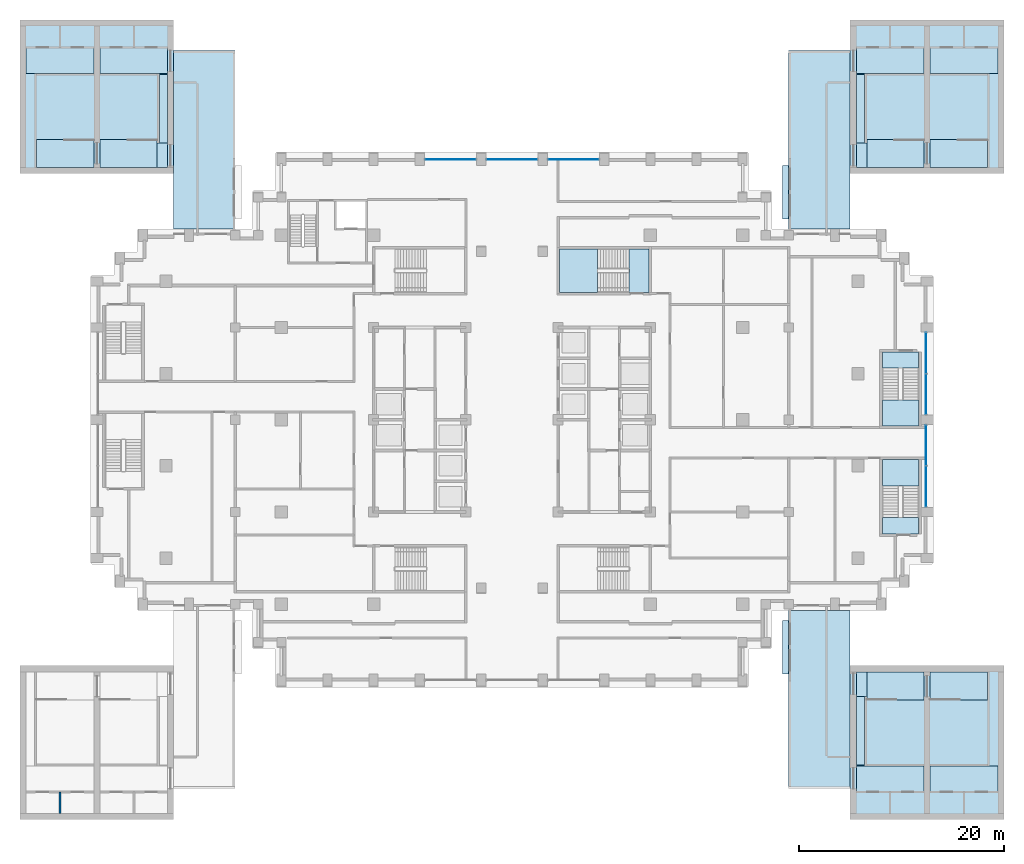
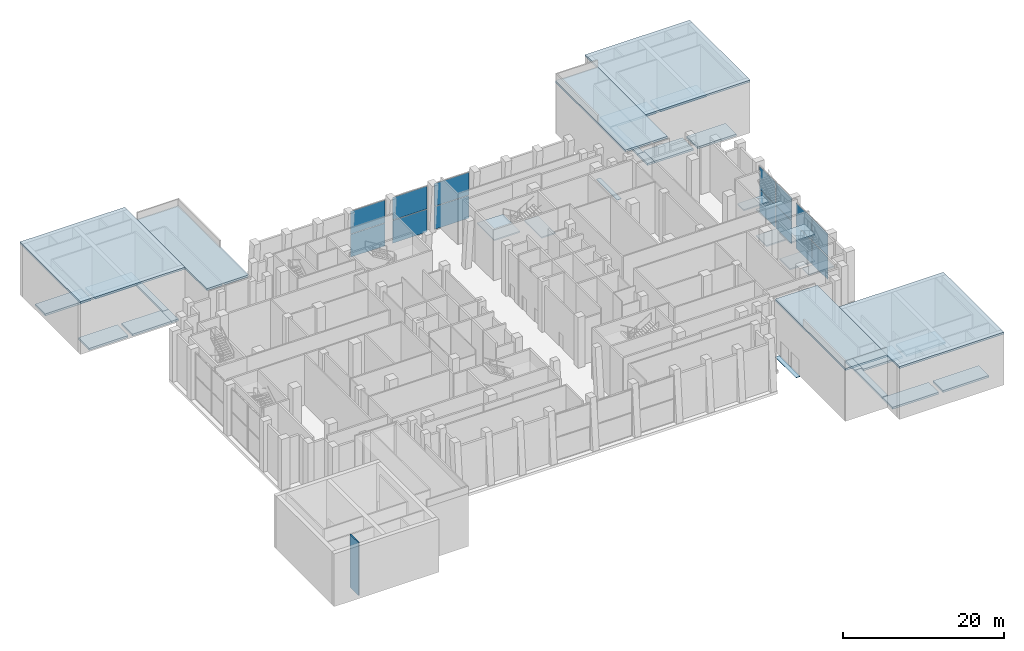
# One storey, part 9 of 24: 34 slabs, 14 plates, 1 wall, 8 elements without a shape of their own.
"""IFC4 building model written with IfcOpenShell, lengths in metres."""

from ifc_helpers import new_model, si_unit, direction, frame, frame_2d, origin, origin_2d, place, context, subcontext, project, spatial, polyline, rectangle, outline, extrude, material, layer, layer_set, type_object, element, aggregate, save


model = new_model("IFC4")

# Units and contexts
model_context = context("Model", 3, precision=1e-05, world=origin(), true_north=direction((0.0, 1.0)))
body_context = subcontext(model_context, "Body", "Model", "MODEL_VIEW")
ifc_project = project(units=[si_unit("LENGTHUNIT", "METRE"), si_unit("AREAUNIT", "SQUARE_METRE"), si_unit("VOLUMEUNIT", "CUBIC_METRE"), si_unit("PLANEANGLEUNIT", "RADIAN"), si_unit("MASSUNIT", "GRAM", prefix="KILO")], contexts=[model_context])

# Site, building, storey
site_placement = place(None, origin())
site = spatial("IfcSite", under=ifc_project, at=site_placement, CompositionType="ELEMENT")
building_placement = place(site_placement, origin())
building = spatial("IfcBuilding", under=site, at=building_placement, Name="Corbelhall Arena Tower", CompositionType="ELEMENT")
storey_placement = place(building_placement, frame((0.0, 0.0, 60.0)))
storey = spatial("IfcBuildingStorey", under=building, at=storey_placement, Name="L08", CompositionType="ELEMENT", Elevation=60.0)

# Slabs
ifc_material_1 = material(Name="Reinforced concrete C40/50", Category="concrete")
ifc_layer_1 = layer(ifc_material_1, 0.300048828125)
ifc_layer_set_1 = layer_set([ifc_layer_1], Name="AR-LINK-ROOF")
slab_type_1 = type_object("IfcSlabType", Name="AR-LINK-ROOF", PredefinedType="ROOF", material=ifc_layer_set_1)
slab_1_placement = place(storey_placement, frame((0.0, 0.0, 7.699951171875)))
element("IfcSlab", 1, at=slab_1_placement, inside=storey, type_object=slab_type_1, Name="Core NE roof", PredefinedType="ROOF", context=body_context, shape_type="SweptSolid", body=[
    extrude(outline(polyline([(33.0, 24.0), (48.0, 24.0), (48.0, 39.0), (33.0, 39.0), (33.0, 24.0)])), origin(), (0.0, 0.0, 1.0), 0.300048828125),
])
slab_2_placement = place(storey_placement, frame((0.0, 0.0, 7.699951171875)))
element("IfcSlab", 2, at=slab_2_placement, inside=storey, type_object=slab_type_1, Name="Core NW roof", PredefinedType="ROOF", context=body_context, shape_type="SweptSolid", body=[
    extrude(outline(polyline([(-48.0, 24.0), (-33.0, 24.0), (-33.0, 39.0), (-48.0, 39.0), (-48.0, 24.0)])), origin(), (0.0, 0.0, 1.0), 0.300048828125),
])
slab_3_placement = place(storey_placement, frame((0.0, 0.0, 7.699951171875)))
element("IfcSlab", 3, at=slab_3_placement, inside=storey, type_object=slab_type_1, Name="Core SE roof", PredefinedType="ROOF", context=body_context, shape_type="SweptSolid", body=[
    extrude(outline(polyline([(33.0, -39.0), (48.0, -39.0), (48.0, -24.0), (33.0, -24.0), (33.0, -39.0)])), origin(), (0.0, 0.0, 1.0), 0.300048828125),
])
slab_4_placement = place(storey_placement, frame((0.0, 0.0, 7.699951171875)))
element("IfcSlab", 4, at=slab_4_placement, inside=storey, type_object=slab_type_1, Name="Gallery LK1 roof", PredefinedType="ROOF", context=body_context, shape_type="SweptSolid", body=[
    extrude(outline(polyline([(27.0, 36.0), (33.0, 36.0), (33.0, 18.60009765625), (27.0, 18.60009765625), (27.0, 36.0)])), origin(), (0.0, 0.0, 1.0), 0.300048828125),
])
slab_5_placement = place(storey_placement, frame((0.0, 0.0, 7.699951171875)))
element("IfcSlab", 5, at=slab_5_placement, inside=storey, type_object=slab_type_1, Name="Gallery LK2 roof", PredefinedType="ROOF", context=body_context, shape_type="SweptSolid", body=[
    extrude(outline(polyline([(-33.0, 36.0), (-27.0, 36.0), (-27.0, 18.60009765625), (-33.0, 18.60009765625), (-33.0, 36.0)])), origin(), (0.0, 0.0, 1.0), 0.300048828125),
])
slab_6_placement = place(storey_placement, frame((0.0, 0.0, 7.699951171875)))
element("IfcSlab", 6, at=slab_6_placement, inside=storey, type_object=slab_type_1, Name="Gallery LK3 roof", PredefinedType="ROOF", context=body_context, shape_type="SweptSolid", body=[
    extrude(outline(polyline([(33.0, -36.0), (27.0, -36.0), (27.0, -18.60009765625), (33.0, -18.60009765625), (33.0, -36.0)])), origin(), (0.0, 0.0, 1.0), 0.300048828125),
])
ifc_layer_2 = layer(ifc_material_1, 0.300048828125)
ifc_layer_set_2 = layer_set([ifc_layer_2], Name="AR-STAIR-FLOOR")
slab_type_2 = type_object("IfcSlabType", Name="AR-STAIR-FLOOR", PredefinedType="FLOOR", material=ifc_layer_set_2)
slab_7_placement = place(storey_placement, frame((0.0, 0.0, -0.300048828125)))
element("IfcSlab", 7, at=slab_7_placement, inside=storey, type_object=slab_type_2, Name="Stair AS1 landing floor", PredefinedType="FLOOR", context=body_context, shape_type="SweptSolid", body=[
    extrude(outline(polyline([(34.610107421875, 24.60009765625), (34.610107421875, 27.0), (33.60009765625, 27.0), (33.60009765625, 24.60009765625), (34.610107421875, 24.60009765625)])), origin(), (0.0, 0.0, 1.0), 0.300048828125),
])
slab_8_placement = place(storey_placement, frame((0.0, 0.0, -0.300048828125)))
element("IfcSlab", 8, at=slab_8_placement, inside=storey, type_object=slab_type_2, Name="Stair AS1 floor", PredefinedType="FLOOR", context=body_context, shape_type="SweptSolid", body=[
    extrude(outline(polyline([(40.199951171875, 24.60009765625), (34.610107421875, 24.60009765625), (34.610107421875, 27.322998046875), (40.199951171875, 27.322998046875), (40.199951171875, 24.60009765625)])), origin(), (0.0, 0.0, 1.0), 0.300048828125),
])
slab_9_placement = place(storey_placement, frame((0.0, 0.0, -0.300048828125)))
element("IfcSlab", 9, at=slab_9_placement, inside=storey, type_object=slab_type_2, Name="Stair AS2 floor", PredefinedType="FLOOR", context=body_context, shape_type="SweptSolid", body=[
    extrude(outline(polyline([(46.389892578125, 24.60009765625), (40.800048828125, 24.60009765625), (40.800048828125, 27.322998046875), (46.389892578125, 27.322998046875), (46.389892578125, 24.60009765625)])), origin(), (0.0, 0.0, 1.0), 0.300048828125),
])
slab_10_placement = place(storey_placement, frame((0.0, 0.0, -0.300048828125)))
element("IfcSlab", 10, at=slab_10_placement, inside=storey, type_object=slab_type_2, Name="Stair AS3 landing floor", PredefinedType="FLOOR", context=body_context, shape_type="SweptSolid", body=[
    extrude(outline(polyline([(-33.60009765625, 24.60009765625), (-33.60009765625, 27.0), (-34.610107421875, 27.0), (-34.610107421875, 24.60009765625), (-33.60009765625, 24.60009765625)])), origin(), (0.0, 0.0, 1.0), 0.300048828125),
])
slab_11_placement = place(storey_placement, frame((0.0, 0.0, -0.300048828125)))
element("IfcSlab", 11, at=slab_11_placement, inside=storey, type_object=slab_type_2, Name="Stair AS3 floor", PredefinedType="FLOOR", context=body_context, shape_type="SweptSolid", body=[
    extrude(outline(polyline([(-34.610107421875, 24.60009765625), (-40.199951171875, 24.60009765625), (-40.199951171875, 27.322998046875), (-34.610107421875, 27.322998046875), (-34.610107421875, 24.60009765625)])), origin(), (0.0, 0.0, 1.0), 0.300048828125),
])
slab_12_placement = place(storey_placement, frame((0.0, 0.0, -0.300048828125)))
element("IfcSlab", 12, at=slab_12_placement, inside=storey, type_object=slab_type_2, Name="Stair AS4 floor", PredefinedType="FLOOR", context=body_context, shape_type="SweptSolid", body=[
    extrude(outline(polyline([(-40.800048828125, 24.60009765625), (-46.389892578125, 24.60009765625), (-46.389892578125, 27.322998046875), (-40.800048828125, 27.322998046875), (-40.800048828125, 24.60009765625)])), origin(), (0.0, 0.0, 1.0), 0.300048828125),
])
slab_13_placement = place(storey_placement, frame((0.0, 0.0, -0.300048828125)))
element("IfcSlab", 13, at=slab_13_placement, inside=storey, type_object=slab_type_2, Name="Stair AS5 landing floor", PredefinedType="FLOOR", context=body_context, shape_type="SweptSolid", body=[
    extrude(outline(polyline([(34.610107421875, -27.0), (34.610107421875, -24.60009765625), (33.60009765625, -24.60009765625), (33.60009765625, -27.0), (34.610107421875, -27.0)])), origin(), (0.0, 0.0, 1.0), 0.300048828125),
])
slab_14_placement = place(storey_placement, frame((0.0, 0.0, -0.300048828125)))
element("IfcSlab", 14, at=slab_14_placement, inside=storey, type_object=slab_type_2, Name="Stair AS5 floor", PredefinedType="FLOOR", context=body_context, shape_type="SweptSolid", body=[
    extrude(outline(polyline([(34.610107421875, -24.60009765625), (40.199951171875, -24.60009765625), (40.199951171875, -27.322998046875), (34.610107421875, -27.322998046875), (34.610107421875, -24.60009765625)])), origin(), (0.0, 0.0, 1.0), 0.300048828125),
])
slab_15_placement = place(storey_placement, frame((0.0, 0.0, -0.300048828125)))
element("IfcSlab", 15, at=slab_15_placement, inside=storey, type_object=slab_type_2, Name="Stair AS6 floor", PredefinedType="FLOOR", context=body_context, shape_type="SweptSolid", body=[
    extrude(outline(polyline([(40.800048828125, -24.60009765625), (46.389892578125, -24.60009765625), (46.389892578125, -27.322998046875), (40.800048828125, -27.322998046875), (40.800048828125, -24.60009765625)])), origin(), (0.0, 0.0, 1.0), 0.300048828125),
])
slab_16_placement = place(storey_placement, frame((0.0, 0.0, -0.300048828125)))
element("IfcSlab", 16, at=slab_16_placement, inside=storey, type_object=slab_type_2, Name="Lift lobby floor NE", PredefinedType="FLOOR", context=body_context, shape_type="SweptSolid", body=[
    extrude(outline(polyline([(40.199951171875, 33.800048828125), (40.199951171875, 36.300048828125), (33.60009765625, 36.300048828125), (33.60009765625, 33.800048828125), (40.199951171875, 33.800048828125)])), origin(), (0.0, 0.0, 1.0), 0.300048828125),
])
slab_17_placement = place(storey_placement, frame((0.0, 0.0, -0.300048828125)))
element("IfcSlab", 17, at=slab_17_placement, inside=storey, type_object=slab_type_2, Name="Lift lobby floor NE", PredefinedType="FLOOR", context=body_context, shape_type="SweptSolid", body=[
    extrude(outline(polyline([(47.39990234375, 33.800048828125), (47.39990234375, 36.300048828125), (40.800048828125, 36.300048828125), (40.800048828125, 33.800048828125), (47.39990234375, 33.800048828125)])), origin(), (0.0, 0.0, 1.0), 0.300048828125),
])
slab_18_placement = place(storey_placement, frame((0.0, 0.0, -0.300048828125)))
element("IfcSlab", 18, at=slab_18_placement, inside=storey, type_object=slab_type_2, Name="Lift lobby floor NW", PredefinedType="FLOOR", context=body_context, shape_type="SweptSolid", body=[
    extrude(outline(polyline([(-40.800048828125, 33.800048828125), (-40.800048828125, 36.300048828125), (-47.39990234375, 36.300048828125), (-47.39990234375, 33.800048828125), (-40.800048828125, 33.800048828125)])), origin(), (0.0, 0.0, 1.0), 0.300048828125),
])
slab_19_placement = place(storey_placement, frame((0.0, 0.0, -0.300048828125)))
element("IfcSlab", 19, at=slab_19_placement, inside=storey, type_object=slab_type_2, Name="Lift lobby floor NW", PredefinedType="FLOOR", context=body_context, shape_type="SweptSolid", body=[
    extrude(outline(polyline([(-33.60009765625, 33.800048828125), (-33.60009765625, 36.300048828125), (-40.199951171875, 36.300048828125), (-40.199951171875, 33.800048828125), (-33.60009765625, 33.800048828125)])), origin(), (0.0, 0.0, 1.0), 0.300048828125),
])
slab_20_placement = place(storey_placement, frame((0.0, 0.0, -0.300048828125)))
element("IfcSlab", 20, at=slab_20_placement, inside=storey, type_object=slab_type_2, Name="Lift lobby floor SE", PredefinedType="FLOOR", context=body_context, shape_type="SweptSolid", body=[
    extrude(outline(polyline([(40.199951171875, -36.300048828125), (40.199951171875, -33.800048828125), (33.60009765625, -33.800048828125), (33.60009765625, -36.300048828125), (40.199951171875, -36.300048828125)])), origin(), (0.0, 0.0, 1.0), 0.300048828125),
])
slab_21_placement = place(storey_placement, frame((0.0, 0.0, -0.300048828125)))
element("IfcSlab", 21, at=slab_21_placement, inside=storey, type_object=slab_type_2, Name="Lift lobby floor SE", PredefinedType="FLOOR", context=body_context, shape_type="SweptSolid", body=[
    extrude(outline(polyline([(47.39990234375, -36.300048828125), (47.39990234375, -33.800048828125), (40.800048828125, -33.800048828125), (40.800048828125, -36.300048828125), (47.39990234375, -36.300048828125)])), origin(), (0.0, 0.0, 1.0), 0.300048828125),
])
slab_22_placement = place(storey_placement, frame((0.0, 0.0, -0.300048828125)))
element("IfcSlab", 22, at=slab_22_placement, inside=storey, type_object=slab_type_2, Name="Strip floor NE", PredefinedType="FLOOR", context=body_context, shape_type="SweptSolid", body=[
    extrude(outline(polyline([(34.409912109375, 27.0), (34.409912109375, 33.699951171875), (33.60009765625, 33.699951171875), (33.60009765625, 27.0), (34.409912109375, 27.0)])), origin(), (0.0, 0.0, 1.0), 0.300048828125),
])
slab_23_placement = place(storey_placement, frame((0.0, 0.0, -0.300048828125)))
element("IfcSlab", 23, at=slab_23_placement, inside=storey, type_object=slab_type_2, Name="Strip floor NW", PredefinedType="FLOOR", context=body_context, shape_type="SweptSolid", body=[
    extrude(outline(polyline([(-33.60009765625, 27.0), (-33.60009765625, 33.699951171875), (-34.409912109375, 33.699951171875), (-34.409912109375, 27.0), (-33.60009765625, 27.0)])), origin(), (0.0, 0.0, 1.0), 0.300048828125),
])
slab_24_placement = place(storey_placement, frame((0.0, 0.0, -0.300048828125)))
element("IfcSlab", 24, at=slab_24_placement, inside=storey, type_object=slab_type_2, Name="Strip floor SE", PredefinedType="FLOOR", context=body_context, shape_type="SweptSolid", body=[
    extrude(outline(polyline([(34.409912109375, -33.699951171875), (34.409912109375, -27.0), (33.60009765625, -27.0), (33.60009765625, -33.699951171875), (34.409912109375, -33.699951171875)])), origin(), (0.0, 0.0, 1.0), 0.300048828125),
])

# Curtain wall, plates
ifc_material_2 = material(Name="Aluminium black anodised", Category="aluminium")
ifc_layer_3 = layer(ifc_material_2, 0.260009765625)
ifc_layer_set_3 = layer_set([ifc_layer_3], Name="EV-CW6 Ground lobby glazing")
curtain_wall_type = type_object("IfcCurtainWallType", Name="EV-CW6 Ground lobby glazing", PredefinedType="NOTDEFINED", material=ifc_layer_set_3)
curtain_wall_1_placement = place(storey_placement, origin())
curtain_wall_1 = element("IfcCurtainWall", 25, at=curtain_wall_1_placement, inside=storey, type_object=curtain_wall_type, Name="Curtain wall CW6A", PredefinedType="NOTDEFINED")
ifc_material_3 = material(Name="Glass dark tinted laminated", Category="glass")
ifc_layer_4 = layer(ifc_material_3, 0.028076171875)
ifc_layer_set_4 = layer_set([ifc_layer_4], Name="EV-CW6-PANEL")
plate_type = type_object("IfcPlateType", Name="EV-CW6-PANEL", PredefinedType="CURTAIN_PANEL", material=ifc_layer_set_4)
plate_1_placement = place(storey_placement, frame((40.39990234375, -6.50634765625, 0.074951171875), z_axis=(0.0, 0.0, 1.0), x_axis=(0.0, 1.0, 0.0)))
plate_1 = element("IfcPlate", 26, at=plate_1_placement, type_object=plate_type, Name="CW6A panel 1.1", PredefinedType="CURTAIN_PANEL", context=body_context, shape_type="SweptSolid", body=[
    extrude(rectangle(XDim=3.9375, YDim=0.028076171875, at=origin_2d()), origin(), (0.0, 0.0, 1.0), 3.4375),
])
plate_2_placement = place(storey_placement, frame((40.39990234375, -6.50634765625, 3.58740234375), z_axis=(0.0, 0.0, 1.0), x_axis=(0.0, 1.0, 0.0)))
plate_2 = element("IfcPlate", 27, at=plate_2_placement, type_object=plate_type, Name="CW6A panel 1.2", PredefinedType="CURTAIN_PANEL", context=body_context, shape_type="SweptSolid", body=[
    extrude(rectangle(XDim=3.9375, YDim=0.028076171875, at=origin_2d()), origin(), (0.0, 0.0, 1.0), 3.4375),
])
plate_3_placement = place(storey_placement, frame((40.39990234375, -2.49365234375, 0.074951171875), z_axis=(0.0, 0.0, 1.0), x_axis=(0.0, 1.0, 0.0)))
plate_3 = element("IfcPlate", 28, at=plate_3_placement, type_object=plate_type, Name="CW6A panel 2.1", PredefinedType="CURTAIN_PANEL", context=body_context, shape_type="SweptSolid", body=[
    extrude(rectangle(XDim=3.9375, YDim=0.028076171875, at=origin_2d()), origin(), (0.0, 0.0, 1.0), 3.4375),
])
plate_4_placement = place(storey_placement, frame((40.39990234375, -2.49365234375, 3.58740234375), z_axis=(0.0, 0.0, 1.0), x_axis=(0.0, 1.0, 0.0)))
plate_4 = element("IfcPlate", 29, at=plate_4_placement, type_object=plate_type, Name="CW6A panel 2.2", PredefinedType="CURTAIN_PANEL", context=body_context, shape_type="SweptSolid", body=[
    extrude(rectangle(XDim=3.9375, YDim=0.028076171875, at=origin_2d()), origin(), (0.0, 0.0, 1.0), 3.4375),
])
aggregate(curtain_wall_1, [plate_1, plate_2, plate_3, plate_4])

curtain_wall_2_placement = place(storey_placement, origin())
curtain_wall_2 = element("IfcCurtainWall", 30, at=curtain_wall_2_placement, inside=storey, type_object=curtain_wall_type, Name="Curtain wall CW6A", PredefinedType="NOTDEFINED")
plate_5_placement = place(storey_placement, frame((40.39990234375, 2.49365234375, 0.074951171875), z_axis=(0.0, 0.0, 1.0), x_axis=(0.0, 1.0, 0.0)))
plate_5 = element("IfcPlate", 31, at=plate_5_placement, type_object=plate_type, Name="CW6A panel 1.1", PredefinedType="CURTAIN_PANEL", context=body_context, shape_type="SweptSolid", body=[
    extrude(rectangle(XDim=3.9375, YDim=0.028076171875, at=origin_2d()), origin(), (0.0, 0.0, 1.0), 3.4375),
])
plate_6_placement = place(storey_placement, frame((40.39990234375, 2.49365234375, 3.58740234375), z_axis=(0.0, 0.0, 1.0), x_axis=(0.0, 1.0, 0.0)))
plate_6 = element("IfcPlate", 32, at=plate_6_placement, type_object=plate_type, Name="CW6A panel 1.2", PredefinedType="CURTAIN_PANEL", context=body_context, shape_type="SweptSolid", body=[
    extrude(rectangle(XDim=3.9375, YDim=0.028076171875, at=origin_2d()), origin(), (0.0, 0.0, 1.0), 3.4375),
])
plate_7_placement = place(storey_placement, frame((40.39990234375, 6.50634765625, 0.074951171875), z_axis=(0.0, 0.0, 1.0), x_axis=(0.0, 1.0, 0.0)))
plate_7 = element("IfcPlate", 33, at=plate_7_placement, type_object=plate_type, Name="CW6A panel 2.1", PredefinedType="CURTAIN_PANEL", context=body_context, shape_type="SweptSolid", body=[
    extrude(rectangle(XDim=3.9375, YDim=0.028076171875, at=origin_2d()), origin(), (0.0, 0.0, 1.0), 3.4375),
])
plate_8_placement = place(storey_placement, frame((40.39990234375, 6.50634765625, 3.58740234375), z_axis=(0.0, 0.0, 1.0), x_axis=(0.0, 1.0, 0.0)))
plate_8 = element("IfcPlate", 34, at=plate_8_placement, type_object=plate_type, Name="CW6A panel 2.2", PredefinedType="CURTAIN_PANEL", context=body_context, shape_type="SweptSolid", body=[
    extrude(rectangle(XDim=3.9375, YDim=0.028076171875, at=origin_2d()), origin(), (0.0, 0.0, 1.0), 3.4375),
])
aggregate(curtain_wall_2, [plate_5, plate_6, plate_7, plate_8])

curtain_wall_3_placement = place(storey_placement, origin())
curtain_wall_3 = element("IfcCurtainWall", 35, at=curtain_wall_3_placement, inside=storey, type_object=curtain_wall_type, Name="Curtain wall CW6", PredefinedType="NOTDEFINED")
plate_9_placement = place(storey_placement, frame((6.0, 25.39990234375, 0.074951171875), z_axis=(0.0, 0.0, 1.0), x_axis=(-1.0, 0.0, 0.0)))
plate_9 = element("IfcPlate", 36, at=plate_9_placement, type_object=plate_type, Name="CW6 panel 1.1", PredefinedType="CURTAIN_PANEL", context=body_context, shape_type="SweptSolid", body=[
    extrude(rectangle(XDim=4.949951171875, YDim=0.028076171875, at=origin_2d()), origin(), (0.0, 0.0, 1.0), 3.4375),
])
plate_10_placement = place(storey_placement, frame((6.0, 25.39990234375, 3.58740234375), z_axis=(0.0, 0.0, 1.0), x_axis=(-1.0, 0.0, 0.0)))
plate_10 = element("IfcPlate", 37, at=plate_10_placement, type_object=plate_type, Name="CW6 panel 1.2", PredefinedType="CURTAIN_PANEL", context=body_context, shape_type="SweptSolid", body=[
    extrude(rectangle(XDim=4.949951171875, YDim=0.028076171875, at=origin_2d()), origin(), (0.0, 0.0, 1.0), 3.4375),
])
aggregate(curtain_wall_3, [plate_9, plate_10])

curtain_wall_4_placement = place(storey_placement, origin())
curtain_wall_4 = element("IfcCurtainWall", 38, at=curtain_wall_4_placement, inside=storey, type_object=curtain_wall_type, Name="Curtain wall CW6", PredefinedType="NOTDEFINED")
plate_11_placement = place(storey_placement, frame((0.0, 25.39990234375, 0.074951171875), z_axis=(0.0, 0.0, 1.0), x_axis=(-1.0, 0.0, 0.0)))
plate_11 = element("IfcPlate", 39, at=plate_11_placement, type_object=plate_type, Name="CW6 panel 1.1", PredefinedType="CURTAIN_PANEL", context=body_context, shape_type="SweptSolid", body=[
    extrude(rectangle(XDim=4.949951171875, YDim=0.028076171875, at=origin_2d()), origin(), (0.0, 0.0, 1.0), 3.4375),
])
plate_12_placement = place(storey_placement, frame((0.0, 25.39990234375, 3.58740234375), z_axis=(0.0, 0.0, 1.0), x_axis=(-1.0, 0.0, 0.0)))
plate_12 = element("IfcPlate", 40, at=plate_12_placement, type_object=plate_type, Name="CW6 panel 1.2", PredefinedType="CURTAIN_PANEL", context=body_context, shape_type="SweptSolid", body=[
    extrude(rectangle(XDim=4.949951171875, YDim=0.028076171875, at=origin_2d()), origin(), (0.0, 0.0, 1.0), 3.4375),
])
aggregate(curtain_wall_4, [plate_11, plate_12])

curtain_wall_5_placement = place(storey_placement, origin())
curtain_wall_5 = element("IfcCurtainWall", 41, at=curtain_wall_5_placement, inside=storey, type_object=curtain_wall_type, Name="Curtain wall CW6", PredefinedType="NOTDEFINED")
plate_13_placement = place(storey_placement, frame((-6.0, 25.39990234375, 0.074951171875), z_axis=(0.0, 0.0, 1.0), x_axis=(-1.0, 0.0, 0.0)))
plate_13 = element("IfcPlate", 42, at=plate_13_placement, type_object=plate_type, Name="CW6 panel 1.1", PredefinedType="CURTAIN_PANEL", context=body_context, shape_type="SweptSolid", body=[
    extrude(rectangle(XDim=4.949951171875, YDim=0.028076171875, at=origin_2d()), origin(), (0.0, 0.0, 1.0), 3.4375),
])
plate_14_placement = place(storey_placement, frame((-6.0, 25.39990234375, 3.58740234375), z_axis=(0.0, 0.0, 1.0), x_axis=(-1.0, 0.0, 0.0)))
plate_14 = element("IfcPlate", 43, at=plate_14_placement, type_object=plate_type, Name="CW6 panel 1.2", PredefinedType="CURTAIN_PANEL", context=body_context, shape_type="SweptSolid", body=[
    extrude(rectangle(XDim=4.949951171875, YDim=0.028076171875, at=origin_2d()), origin(), (0.0, 0.0, 1.0), 3.4375),
])
aggregate(curtain_wall_5, [plate_13, plate_14])

# Stair, slabs
ifc_material_4 = material(Name="Concrete C40/50", Category="concrete")
stair_type = type_object("IfcStairType", Name="IN-ST-TOWER", PredefinedType="HALF_TURN_STAIR", material=ifc_material_4)
stair_1_placement = place(storey_placement, origin())
stair_1 = element("IfcStair", 44, at=stair_1_placement, inside=storey, type_object=stair_type, Name="L08 Exit stair ST3", PredefinedType="HALF_TURN_STAIR")
ifc_layer_5 = layer(ifc_material_4, 0.199951171875)
ifc_layer_set_5 = layer_set([ifc_layer_5], Name="IN-SL-LANDING")
slab_type_3 = type_object("IfcSlabType", Name="IN-SL-LANDING", PredefinedType="LANDING", material=ifc_layer_set_5)
slab_25_placement = place(storey_placement, frame((0.0, 0.0, 3.800048828125)))
slab_25 = element("IfcSlab", 45, at=slab_25_placement, type_object=slab_type_3, Name="ST3 landing 2", PredefinedType="LANDING", context=body_context, shape_type="SweptSolid", body=[
    extrude(outline(polyline([(13.375, 16.675048828125), (11.425048828125, 16.675048828125), (11.425048828125, 12.425048828125), (13.375, 12.425048828125), (13.375, 16.675048828125)])), origin(), (0.0, 0.0, 1.0), 0.199951171875),
])
slab_26_placement = place(storey_placement, frame((0.0, 0.0, 5.800048828125)))
slab_26 = element("IfcSlab", 46, at=slab_26_placement, type_object=slab_type_3, Name="ST3 landing 3", PredefinedType="LANDING", context=body_context, shape_type="SweptSolid", body=[
    extrude(outline(polyline([(8.344970703125, 16.675048828125), (4.625, 16.675048828125), (4.625, 12.425048828125), (8.344970703125, 12.425048828125), (8.344970703125, 16.675048828125)])), origin(), (0.0, 0.0, 1.0), 0.199951171875),
])
aggregate(stair_1, [slab_25, slab_26])

stair_2_placement = place(storey_placement, origin())
stair_2 = element("IfcStair", 47, at=stair_2_placement, inside=storey, type_object=stair_type, Name="L08 Exit stair SD1", PredefinedType="HALF_TURN_STAIR")
slab_27_placement = place(storey_placement, frame((0.0, 0.0, 1.800048828125)))
slab_27 = element("IfcSlab", 48, at=slab_27_placement, type_object=slab_type_3, Name="SD1 landing 1", PredefinedType="LANDING", context=body_context, shape_type="SweptSolid", body=[
    extrude(outline(polyline([(39.699951171875, -6.445068359375), (39.699951171875, -3.875), (36.125, -3.875), (36.125, -6.445068359375), (39.699951171875, -6.445068359375)])), origin(), (0.0, 0.0, 1.0), 0.199951171875),
])
slab_28_placement = place(storey_placement, frame((0.0, 0.0, 3.800048828125)))
slab_28 = element("IfcSlab", 49, at=slab_28_placement, type_object=slab_type_3, Name="SD1 landing 2", PredefinedType="LANDING", context=body_context, shape_type="SweptSolid", body=[
    extrude(outline(polyline([(39.699951171875, -11.125), (39.699951171875, -9.52490234375), (36.125, -9.52490234375), (36.125, -11.125), (39.699951171875, -11.125)])), origin(), (0.0, 0.0, 1.0), 0.199951171875),
])
slab_29_placement = place(storey_placement, frame((0.0, 0.0, 5.800048828125)))
slab_29 = element("IfcSlab", 50, at=slab_29_placement, type_object=slab_type_3, Name="SD1 landing 3", PredefinedType="LANDING", context=body_context, shape_type="SweptSolid", body=[
    extrude(outline(polyline([(39.699951171875, -6.445068359375), (39.699951171875, -3.875), (36.125, -3.875), (36.125, -6.445068359375), (39.699951171875, -6.445068359375)])), origin(), (0.0, 0.0, 1.0), 0.199951171875),
])
aggregate(stair_2, [slab_27, slab_28, slab_29])

stair_3_placement = place(storey_placement, origin())
stair_3 = element("IfcStair", 51, at=stair_3_placement, inside=storey, type_object=stair_type, Name="L08 Exit stair SD2", PredefinedType="HALF_TURN_STAIR")
slab_30_placement = place(storey_placement, frame((0.0, 0.0, 1.800048828125)))
slab_30 = element("IfcSlab", 52, at=slab_30_placement, type_object=slab_type_3, Name="SD2 landing 1", PredefinedType="LANDING", context=body_context, shape_type="SweptSolid", body=[
    extrude(outline(polyline([(36.125, 1.945068359375), (36.125, -0.625), (39.699951171875, -0.625), (39.699951171875, 1.945068359375), (36.125, 1.945068359375)])), origin(), (0.0, 0.0, 1.0), 0.199951171875),
])
slab_31_placement = place(storey_placement, frame((0.0, 0.0, 3.800048828125)))
slab_31 = element("IfcSlab", 53, at=slab_31_placement, type_object=slab_type_3, Name="SD2 landing 2", PredefinedType="LANDING", context=body_context, shape_type="SweptSolid", body=[
    extrude(outline(polyline([(36.125, 6.625), (36.125, 5.02490234375), (39.699951171875, 5.02490234375), (39.699951171875, 6.625), (36.125, 6.625)])), origin(), (0.0, 0.0, 1.0), 0.199951171875),
])
slab_32_placement = place(storey_placement, frame((0.0, 0.0, 5.800048828125)))
slab_32 = element("IfcSlab", 54, at=slab_32_placement, type_object=slab_type_3, Name="SD2 landing 3", PredefinedType="LANDING", context=body_context, shape_type="SweptSolid", body=[
    extrude(outline(polyline([(36.125, 1.945068359375), (36.125, -0.625), (39.699951171875, -0.625), (39.699951171875, 1.945068359375), (36.125, 1.945068359375)])), origin(), (0.0, 0.0, 1.0), 0.199951171875),
])
aggregate(stair_3, [slab_30, slab_31, slab_32])

# Slabs
ifc_material_5 = material(Name="Steel ASTM A572 Gr50", Category="steel")
ifc_layer_6 = layer(ifc_material_5, 0.050048828125)
ifc_layer_set_6 = layer_set([ifc_layer_6], Name="PO-GALLERY-PLATE")
slab_type_4 = type_object("IfcSlabType", Name="PO-GALLERY-PLATE", PredefinedType="FLOOR", material=ifc_layer_set_6)
slab_33_placement = place(storey_placement, origin())
element("IfcSlab", 55, at=slab_33_placement, inside=storey, type_object=slab_type_4, Name="Gallery floor plate", PredefinedType="FLOOR", context=body_context, shape_type="SweptSolid", body=[
    extrude(outline(polyline([(27.0, 19.60009765625), (27.0, 24.800048828125), (26.39990234375, 24.800048828125), (26.39990234375, 19.60009765625), (27.0, 19.60009765625)])), origin(), (0.0, 0.0, 1.0), 0.050048828125),
])
slab_34_placement = place(storey_placement, origin())
element("IfcSlab", 56, at=slab_34_placement, inside=storey, type_object=slab_type_4, Name="Gallery floor plate", PredefinedType="FLOOR", context=body_context, shape_type="SweptSolid", body=[
    extrude(outline(polyline([(27.0, -24.800048828125), (27.0, -19.60009765625), (26.39990234375, -19.60009765625), (26.39990234375, -24.800048828125), (27.0, -24.800048828125)])), origin(), (0.0, 0.0, 1.0), 0.050048828125),
])

# Wall
ifc_layer_7 = layer(ifc_material_1, 0.199951171875)
ifc_layer_set_7 = layer_set([ifc_layer_7], Name="AR-SHAFT-WALL")
wall_type = type_object("IfcWallType", Name="AR-SHAFT-WALL", PredefinedType="SHEAR", material=ifc_layer_set_7)
wall_placement = place(storey_placement, frame((-44.10009765625, -38.39990234375, 0.0), z_axis=(0.0, 0.0, 1.0), x_axis=(0.0, 1.0, 0.0)))
element("IfcWall", 57, at=wall_placement, inside=storey, type_object=wall_type, Name="Shaft wall SW", PredefinedType="SHEAR", context=body_context, shape_type="SweptSolid", body=[
    extrude(rectangle(XDim=2.099853515625, YDim=0.199951171875, at=frame_2d((1.0498046875, 0.0))), origin(), (0.0, 0.0, 1.0), 8.0),
])

save(model, "model.ifc")
